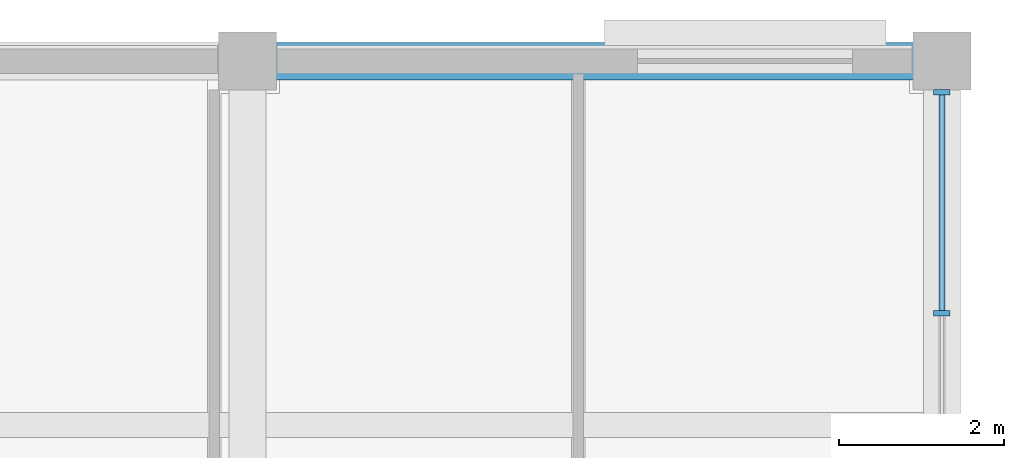
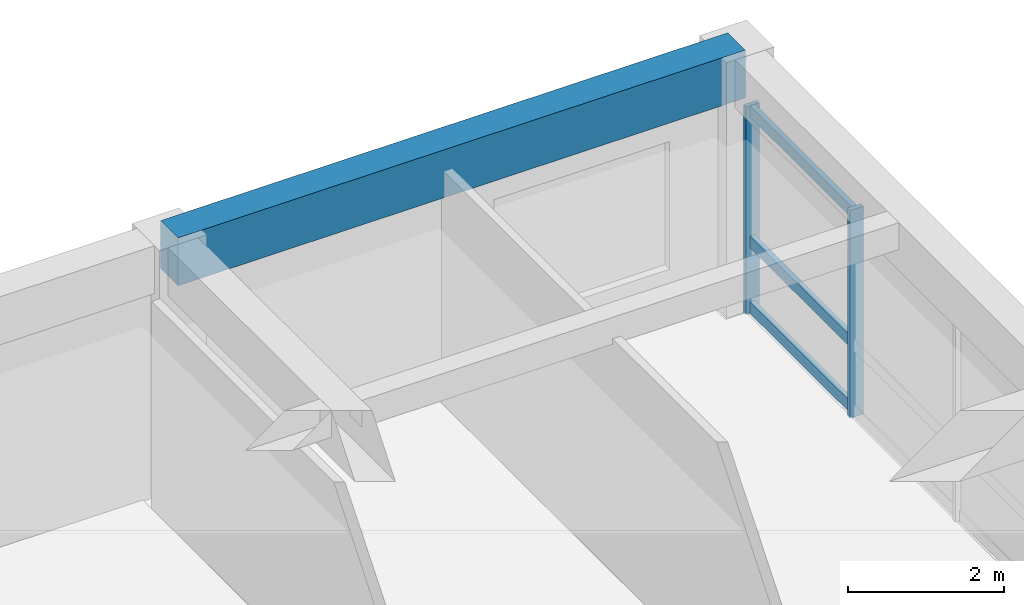
# One storey, part 6 of 14: 5 members, 1 beam, 1 element without a shape of its own.
"""IFC4 building model written with IfcOpenShell, lengths in metres."""

from ifc_helpers import new_model, si_unit, direction, frame, origin, origin_2d, place, context, subcontext, project, spatial, rectangle, extrude, material, material_profile, profile_set, type_object, element, aggregate, save


model = new_model("IFC4")

# Units and contexts
model_context = context("Model", 3, precision=1e-05, world=origin(), true_north=direction((0.0, 1.0)))
body_context = subcontext(model_context, "Body", "Model", "MODEL_VIEW")
ifc_project = project(units=[si_unit("LENGTHUNIT", "METRE"), si_unit("AREAUNIT", "SQUARE_METRE"), si_unit("VOLUMEUNIT", "CUBIC_METRE"), si_unit("PLANEANGLEUNIT", "RADIAN"), si_unit("MASSUNIT", "GRAM", prefix="KILO")], contexts=[model_context])

# Site, building, storey
site_placement = place(None, origin())
site = spatial("IfcSite", under=ifc_project, at=site_placement, CompositionType="ELEMENT")
building_placement = place(site_placement, origin())
building = spatial("IfcBuilding", under=site, at=building_placement, Name="Kemercrest Conservatory and Botanical Centre", CompositionType="ELEMENT")
storey_placement = place(building_placement, frame((0.0, 0.0, 32.800048828125)))
storey = spatial("IfcBuildingStorey", under=building, at=storey_placement, Name="L08", CompositionType="ELEMENT", Elevation=32.800048828125)

# Curtain wall, members
ifc_material_1 = material(Name="Thermally broken aluminium and triple low-e glazing", Category="aluminium")
curtain_wall_type = type_object("IfcCurtainWallType", Name="CW-08", PredefinedType="USERDEFINED", material=ifc_material_1)
curtain_wall_placement = place(storey_placement, origin())
curtain_wall = element("IfcCurtainWall", 1, at=curtain_wall_placement, inside=storey, type_object=curtain_wall_type, Name="Unitised curtain wall CW-08 (CW:L08:V4-097)", ObjectType="UNITISED CURTAIN WALL", PredefinedType="USERDEFINED")
ifc_material_2 = material(Name="Thermally broken anodized aluminium 6063-T6", Category="aluminium")
ifc_material_profile_1 = material_profile(ifc_material_2, rectangle(XDim=0.199951171875, YDim=0.06494140625, at=origin_2d()), Name="AL MULLION 65x200")
ifc_profile_set_1 = profile_set([ifc_material_profile_1], Name="Thermally broken anodized aluminium 6063-T6")
member_type_1 = type_object("IfcMemberType", Name="CW-M200", PredefinedType="MULLION", material=ifc_profile_set_1)
member_1_placement = place(storey_placement, frame((176.0, 119.3515625, 0.0), z_axis=(0.0, 0.0, 1.0), x_axis=(-1.0, 0.0, 0.0)))
member_1 = element("IfcMember", 2, at=member_1_placement, type_object=member_type_1, Name="CW-08 mullion 3", PredefinedType="MULLION", context=body_context, shape_type="SweptSolid", body=[
    extrude(rectangle(XDim=0.199951171875, YDim=0.06494140625, at=origin_2d()), origin(), (0.0, 0.0, 1.0), 3.2548828125),
])
member_2_placement = place(storey_placement, frame((176.0, 122.0224609375, 0.0), z_axis=(0.0, 0.0, 1.0), x_axis=(-1.0, 0.0, 0.0)))
member_2 = element("IfcMember", 3, at=member_2_placement, type_object=member_type_1, Name="CW-08 mullion 4", PredefinedType="MULLION", context=body_context, shape_type="SweptSolid", body=[
    extrude(rectangle(XDim=0.199951171875, YDim=0.06494140625, at=origin_2d()), origin(), (0.0, 0.0, 1.0), 3.2548828125),
])
ifc_material_profile_2 = material_profile(ifc_material_2, rectangle(XDim=0.074951171875, YDim=0.179931640625, at=origin_2d()), Name="AL TRANSOM 75x180")
ifc_profile_set_2 = profile_set([ifc_material_profile_2], Name="Thermally broken anodized aluminium 6063-T6")
member_type_2 = type_object("IfcMemberType", Name="CW-T180", PredefinedType="USERDEFINED", material=ifc_profile_set_2)
member_3_placement = place(storey_placement, frame((176.0, 119.38427734375, 0.08984375), z_axis=(0.0, 1.0, 0.0), x_axis=(-1.0, 0.0, 0.0)))
member_3 = element("IfcMember", 4, at=member_3_placement, type_object=member_type_2, Name="CW-08 transom 3.1", ObjectType="TRANSOM", PredefinedType="USERDEFINED", context=body_context, shape_type="SweptSolid", body=[
    extrude(rectangle(XDim=0.074951171875, YDim=0.179931640625, at=origin_2d()), origin(), (0.0, 0.0, 1.0), 2.605712890625),
])
member_4_placement = place(storey_placement, frame((176.0, 119.38427734375, 1.119873046875), z_axis=(0.0, 1.0, 0.0), x_axis=(-1.0, 0.0, 0.0)))
member_4 = element("IfcMember", 5, at=member_4_placement, type_object=member_type_2, Name="CW-08 transom 3.2", ObjectType="TRANSOM", PredefinedType="USERDEFINED", context=body_context, shape_type="SweptSolid", body=[
    extrude(rectangle(XDim=0.074951171875, YDim=0.179931640625, at=origin_2d()), origin(), (0.0, 0.0, 1.0), 2.605712890625),
])
member_5_placement = place(storey_placement, frame((176.0, 119.38427734375, 3.1650390625), z_axis=(0.0, 1.0, 0.0), x_axis=(-1.0, 0.0, 0.0)))
member_5 = element("IfcMember", 6, at=member_5_placement, type_object=member_type_2, Name="CW-08 transom 3.3", ObjectType="TRANSOM", PredefinedType="USERDEFINED", context=body_context, shape_type="SweptSolid", body=[
    extrude(rectangle(XDim=0.074951171875, YDim=0.179931640625, at=origin_2d()), origin(), (0.0, 0.0, 1.0), 2.605712890625),
])
aggregate(curtain_wall, [member_1, member_2, member_3, member_4, member_5])

# Beam
ifc_material_3 = material(Name="Concrete C40/50", Category="concrete")
ifc_material_profile_3 = material_profile(ifc_material_3, rectangle(XDim=0.449951171875, YDim=0.75, at=origin_2d()), Name="RC 450x750")
ifc_profile_set_3 = profile_set([ifc_material_profile_3], Name="Concrete C40/50")
beam_type = type_object("IfcBeamType", Name="SP-RC75", PredefinedType="SPANDREL", material=ifc_profile_set_3)
beam_placement = place(storey_placement, frame((167.60009765625, 122.39990234375, 3.625), z_axis=(1.0, 0.0, 0.0), x_axis=(0.0, 1.0, 0.0)))
element("IfcBeam", 7, at=beam_placement, inside=storey, type_object=beam_type, Name="V4-L09 beam SP-RC75 P/20-21", PredefinedType="SPANDREL", context=body_context, shape_type="SweptSolid", body=[
    extrude(rectangle(XDim=0.449951171875, YDim=0.75, at=origin_2d()), origin(), (0.0, 0.0, 1.0), 8.39990234375),
])

save(model, "model.ifc")
